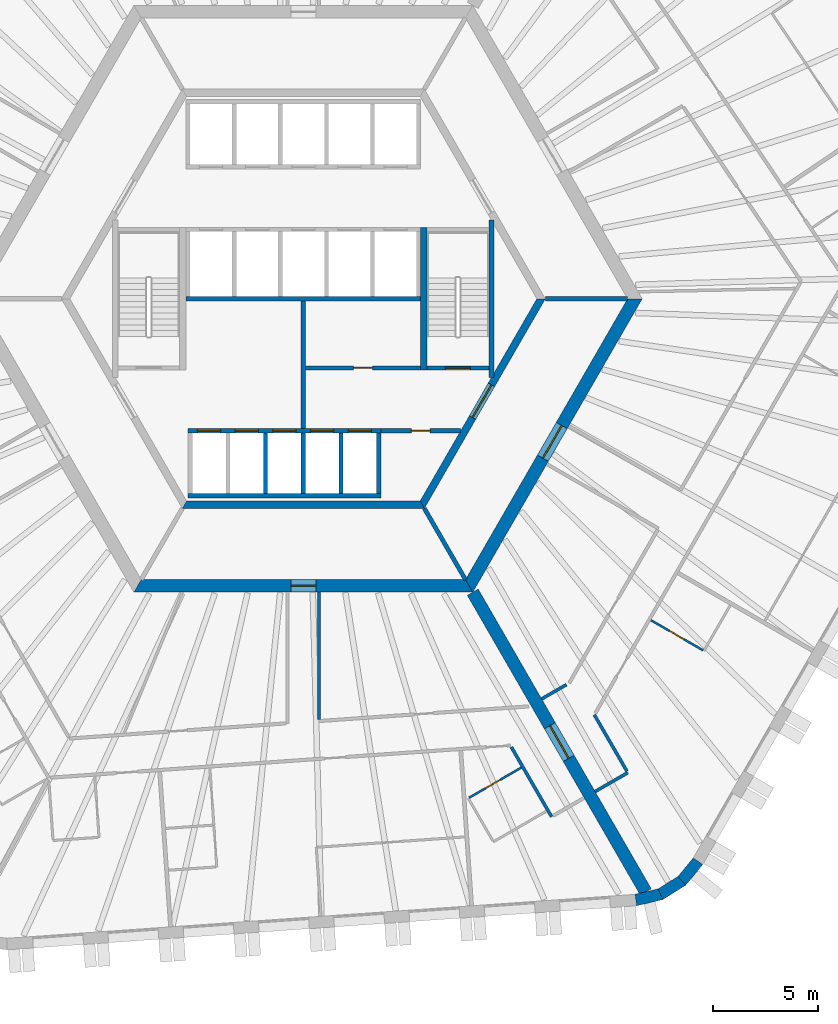
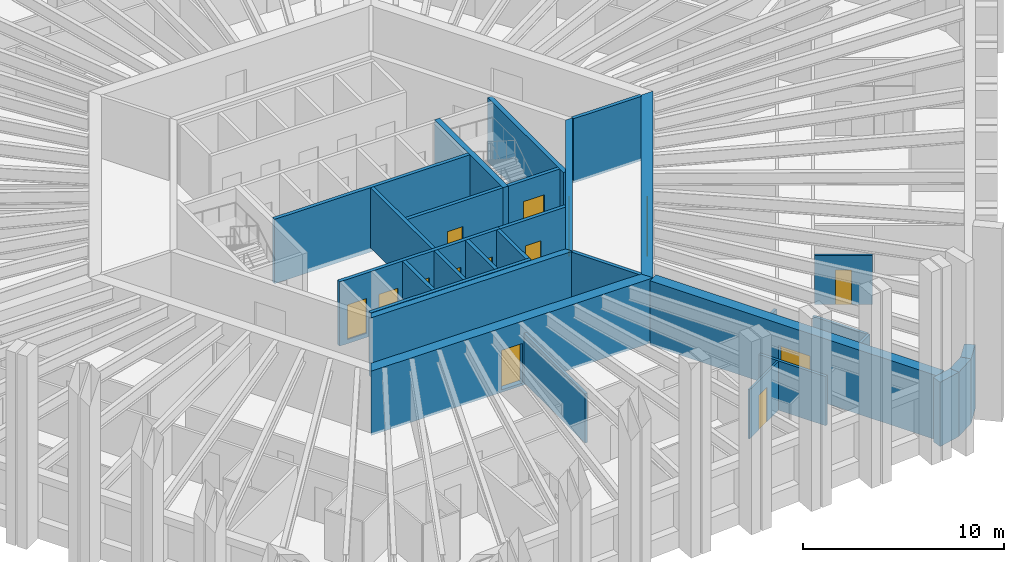
# One storey, part 5 of 13: 30 walls, 14 doors, 14 openings.
"""IFC4 building model written with IfcOpenShell, lengths in metres."""

from ifc_helpers import new_model, si_unit, direction, frame, frame_2d, origin, place, context, subcontext, project, spatial, polyline, rectangle, outline, extrude, material, layer, layer_set, type_object, element, fill, save


model = new_model("IFC4")

# Units and contexts
model_context = context("Model", 3, precision=1e-05, world=origin(), true_north=direction((0.0, 1.0)))
body_context = subcontext(model_context, "Body", "Model", "MODEL_VIEW")
ifc_project = project(units=[si_unit("LENGTHUNIT", "METRE"), si_unit("AREAUNIT", "SQUARE_METRE"), si_unit("VOLUMEUNIT", "CUBIC_METRE"), si_unit("PLANEANGLEUNIT", "RADIAN"), si_unit("MASSUNIT", "GRAM", prefix="KILO")], contexts=[model_context])

# Site, building, storey
site_placement = place(None, origin())
site = spatial("IfcSite", under=ifc_project, at=site_placement, CompositionType="ELEMENT")
building_placement = place(site_placement, origin())
building = spatial("IfcBuilding", under=site, at=building_placement, Name="Tarnside Tower", CompositionType="ELEMENT")
storey_placement = place(building_placement, frame((0.0, 0.0, 123.300048828125)))
storey = spatial("IfcBuildingStorey", under=building, at=storey_placement, Name="L28", CompositionType="ELEMENT", Elevation=123.300048828125)

# Wall, opening, door
ifc_material_1 = material(Name="Gypsum board partition on steel studs", Category="steel")
ifc_layer_1 = layer(ifc_material_1, 0.10009765625)
ifc_layer_set_1 = layer_set([ifc_layer_1], Name="Bathroom wall 100")
wall_type_1 = type_object("IfcWallType", Name="Bathroom wall 100", PredefinedType="PARTITIONING", material=ifc_layer_set_1)
wall_1_placement = place(storey_placement, frame((7.91162109375, -23.803466796875, 0.0), z_axis=(0.0, 0.0, 1.0), x_axis=(0.866039941686, 0.499974818771, 0.0)))
wall_1 = element("IfcWall", 1, at=wall_1_placement, inside=storey, type_object=wall_type_1, Name="Bathroom wall 09142", PredefinedType="PARTITIONING", context=body_context, shape_type="SweptSolid", body=[
    extrude(rectangle(XDim=2.875244140625, YDim=0.10009765625, at=frame_2d((1.4375, 0.0))), origin(), (0.0, 0.0, 1.0), 2.98779296875),
])
opening_1_placement = place(wall_1_placement, frame((0.89990234375, 0.0, 0.0)))
opening_1 = element("IfcOpeningElement", 2, at=opening_1_placement, cuts=wall_1, Name="Opening D-B1", PredefinedType="OPENING", context=body_context, shape_type="SweptSolid", body=[
    extrude(rectangle(XDim=0.800048828125, YDim=2.10009765625, at=frame_2d((0.39990234375, 1.050048828125))), frame((0.0, 0.06005859375, 0.0), z_axis=(0.0, -1.0, 0.0), x_axis=(1.0, 0.0, 0.0)), (0.0, 0.0, 1.0), 0.1201171875),
])
ifc_material_2 = material(Name="Timber door leaf", Category="wood")
door_type_1 = type_object("IfcDoorType", Name="Bathroom door 800", OperationType="NOTDEFINED", PredefinedType="DOOR", material=ifc_material_2)
door_1_placement = place(opening_1_placement, origin())
door_1 = element("IfcDoor", 3, at=door_1_placement, inside=storey, type_object=door_type_1, Name="Bathroom door 09030", OperationType="SINGLE_SWING_RIGHT", OverallHeight=2.10009765625, OverallWidth=0.800048828125, PredefinedType="DOOR", context=body_context, shape_type="SweptSolid", body=[
    extrude(rectangle(XDim=0.800048828125, YDim=2.10009765625, at=frame_2d((0.39990234375, 1.050048828125))), frame((0.0, 0.02490234375, 0.0), z_axis=(0.0, -1.0, 0.0), x_axis=(1.0, 0.0, 0.0)), (0.0, 0.0, 1.0), 0.050048828125),
])
fill(opening_1, door_1)

wall_2_placement = place(storey_placement, frame((19.069580078125, -16.7705078125, 0.0), z_axis=(0.0, 0.0, 1.0), x_axis=(-0.866018712932, 0.500011588718, 0.0)))
wall_2 = element("IfcWall", 4, at=wall_2_placement, inside=storey, type_object=wall_type_1, Name="Bathroom wall 09144", PredefinedType="PARTITIONING", context=body_context, shape_type="SweptSolid", body=[
    extrude(rectangle(XDim=2.875, YDim=0.10009765625, at=frame_2d((1.4375, 0.0))), origin(), (0.0, 0.0, 1.0), 2.98779296875),
])
opening_2_placement = place(wall_2_placement, frame((1.050048828125, 0.0, 0.0)))
opening_2 = element("IfcOpeningElement", 5, at=opening_2_placement, cuts=wall_2, Name="Opening D-B1", PredefinedType="OPENING", context=body_context, shape_type="SweptSolid", body=[
    extrude(rectangle(XDim=0.800048828125, YDim=2.10009765625, at=frame_2d((0.39990234375, 1.050048828125))), frame((0.0, 0.06005859375, 0.0), z_axis=(0.0, -1.0, 0.0), x_axis=(1.0, 0.0, 0.0)), (0.0, 0.0, 1.0), 0.1201171875),
])
door_2_placement = place(opening_2_placement, origin())
door_2 = element("IfcDoor", 6, at=door_2_placement, inside=storey, type_object=door_type_1, Name="Bathroom door 09032", OperationType="SINGLE_SWING_LEFT", OverallHeight=2.10009765625, OverallWidth=0.800048828125, PredefinedType="DOOR", context=body_context, shape_type="SweptSolid", body=[
    extrude(rectangle(XDim=0.800048828125, YDim=2.10009765625, at=frame_2d((0.39990234375, 1.050048828125))), frame((0.0, 0.02490234375, 0.0), z_axis=(0.0, -1.0, 0.0), x_axis=(1.0, 0.0, 0.0)), (0.0, 0.0, 1.0), 0.050048828125),
])
fill(opening_2, door_2)

# Wall
ifc_material_3 = material(Name="Concrete C50/60", Category="concrete")
ifc_layer_2 = layer(ifc_material_3, 0.35009765625)
ifc_layer_set_2 = layer_set([ifc_layer_2], Name="Core block wall 350 C50/60")
wall_type_2 = type_object("IfcWallType", Name="Core block wall 350 C50/60", PredefinedType="SHEAR", material=ifc_layer_set_2)
wall_3_placement = place(storey_placement, frame((-5.672607421875, -9.824951171875, -0.150146484375), z_axis=(0.0, 0.0, 1.0), x_axis=(1.0, 0.0, 0.0)))
element("IfcWall", 7, at=wall_3_placement, inside=storey, type_object=wall_type_2, Name="L28 core block wall face 4", PredefinedType="SHEAR", context=body_context, shape_type="SweptSolid", body=[
    extrude(outline(polyline([(-0.10107421875, -0.175048828125), (11.4462890625, -0.175048828125), (11.244140625, 0.175048828125), (0.10107421875, 0.175048828125), (-0.10107421875, -0.175048828125)])), origin(), (0.0, 0.0, 1.0), 3.900146484375),
])

# Wall, opening, door
wall_4_placement = place(storey_placement, frame((5.672607421875, -9.824951171875, -0.150146484375), z_axis=(0.0, 0.0, 1.0), x_axis=(0.499995046907, 0.866028263435, 0.0)))
wall_4 = element("IfcWall", 8, at=wall_4_placement, inside=storey, type_object=wall_type_2, Name="L28 core block wall face 5", PredefinedType="SHEAR", context=body_context, shape_type="SweptSolid", body=[
    extrude(outline(polyline([(-0.10107421875, -0.175048828125), (11.44580078125, -0.175048828125), (11.24365234375, 0.175048828125), (0.10107421875, 0.175048828125), (-0.10107421875, -0.175048828125)])), origin(), (0.0, 0.0, 1.0), 3.900146484375),
])
opening_3_placement = place(wall_4_placement, frame((4.80126953125, 0.0, 0.14990234375)))
opening_3 = element("IfcOpeningElement", 9, at=opening_3_placement, cuts=wall_4, Name="Opening CD-FFL", PredefinedType="OPENING", context=body_context, shape_type="SweptSolid", body=[
    extrude(rectangle(XDim=1.800048828125, YDim=2.39990234375, at=frame_2d((0.89990234375, 1.199951171875))), frame((0.0, 0.18505859375, 0.0), z_axis=(0.0, -1.0, 0.0), x_axis=(1.0, 0.0, 0.0)), (0.0, 0.0, 1.0), 0.3701171875),
])
ifc_material_4 = material(Name="Steel fire door", Category="steel")
door_type_2 = type_object("IfcDoorType", Name="Firefighting lobby double door FD60S 1800x2400", OperationType="NOTDEFINED", PredefinedType="DOOR", material=ifc_material_4)
door_3_placement = place(opening_3_placement, origin())
door_3 = element("IfcDoor", 10, at=door_3_placement, inside=storey, type_object=door_type_2, Name="L28 lobby block door P4", OperationType="DOUBLE_DOOR_SINGLE_SWING", OverallHeight=2.39990234375, OverallWidth=1.800048828125, PredefinedType="DOOR", context=body_context, shape_type="SweptSolid", body=[
    extrude(rectangle(XDim=1.800048828125, YDim=2.39990234375, at=frame_2d((0.89990234375, 1.199951171875))), frame((0.0, 0.02490234375, 0.0), z_axis=(0.0, -1.0, 0.0), x_axis=(1.0, 0.0, 0.0)), (0.0, 0.0, 1.0), 0.050048828125),
])
fill(opening_3, door_3)

ifc_material_5 = material(Name="Concrete C40/50", Category="concrete")
ifc_layer_3 = layer(ifc_material_5, 0.199951171875)
ifc_layer_set_3 = layer_set([ifc_layer_3], Name="Core room partition 200 C40/50")
wall_type_3 = type_object("IfcWallType", Name="Core room partition 200 C40/50", PredefinedType="PARTITIONING", material=ifc_layer_set_3)
wall_5_placement = place(storey_placement, frame((0.10009765625, -3.300048828125, 0.0), z_axis=(0.0, 0.0, 1.0), x_axis=(1.0, 0.0, 0.0)))
wall_5 = element("IfcWall", 11, at=wall_5_placement, inside=storey, type_object=wall_type_3, Name="L28 core partition R3S1", PredefinedType="PARTITIONING", context=body_context, shape_type="SweptSolid", body=[
    extrude(rectangle(XDim=5.5, YDim=0.199951171875, at=frame_2d((2.75, 0.0))), origin(), (0.0, 0.0, 1.0), 3.64990234375),
])
opening_4_placement = place(wall_5_placement, frame((2.300048828125, 0.0, 0.0)))
opening_4 = element("IfcOpeningElement", 12, at=opening_4_placement, cuts=wall_5, Name="Opening CD-room", PredefinedType="OPENING", context=body_context, shape_type="SweptSolid", body=[
    extrude(rectangle(XDim=0.89990234375, YDim=2.10009765625, at=frame_2d((0.449951171875, 1.050048828125))), frame((0.0, 0.10986328125, 0.0), z_axis=(0.0, -1.0, 0.0), x_axis=(1.0, 0.0, 0.0)), (0.0, 0.0, 1.0), 0.219970703125),
])
door_type_3 = type_object("IfcDoorType", Name="Room door FD60 900x2100", OperationType="NOTDEFINED", PredefinedType="DOOR", material=ifc_material_4)
door_4_placement = place(opening_4_placement, origin())
door_4 = element("IfcDoor", 13, at=door_4_placement, inside=storey, type_object=door_type_3, Name="L28 core room door SR1", OperationType="SINGLE_SWING_LEFT", OverallHeight=2.10009765625, OverallWidth=0.89990234375, PredefinedType="DOOR", context=body_context, shape_type="SweptSolid", body=[
    extrude(rectangle(XDim=0.89990234375, YDim=2.10009765625, at=frame_2d((0.449951171875, 1.050048828125))), frame((0.0, 0.02490234375, 0.0), z_axis=(0.0, -1.0, 0.0), x_axis=(1.0, 0.0, 0.0)), (0.0, 0.0, 1.0), 0.050048828125),
])
fill(opening_4, door_4)

# Wall
wall_6_placement = place(storey_placement, frame((0.0, -6.199951171875, 0.0), z_axis=(0.0, 0.0, 1.0), x_axis=(0.0, 1.0, 0.0)))
element("IfcWall", 14, at=wall_6_placement, inside=storey, type_object=wall_type_3, Name="L28 core partition X0", PredefinedType="PARTITIONING", context=body_context, shape_type="SweptSolid", body=[
    extrude(rectangle(XDim=6.099853515625, YDim=0.199951171875, at=frame_2d((3.0498046875, 0.0))), origin(), (0.0, 0.0, 1.0), 3.64990234375),
])

# Wall, opening, door
wall_7_placement = place(storey_placement, frame((3.699951171875, -6.300048828125, 0.0), z_axis=(0.0, 0.0, 1.0), x_axis=(1.0, 0.0, 0.0)))
wall_7 = element("IfcWall", 15, at=wall_7_placement, inside=storey, type_object=wall_type_3, Name="L28 core partition R4X", PredefinedType="PARTITIONING", context=body_context, shape_type="SweptSolid", body=[
    extrude(rectangle(XDim=3.8056640625, YDim=0.199951171875, at=frame_2d((1.90283203125, 0.0))), origin(), (0.0, 0.0, 1.0), 3.64990234375),
])
opening_5_placement = place(wall_7_placement, frame((1.452880859375, 0.0, 0.0)))
opening_5 = element("IfcOpeningElement", 16, at=opening_5_placement, cuts=wall_7, Name="Opening CD-room", PredefinedType="OPENING", context=body_context, shape_type="SweptSolid", body=[
    extrude(rectangle(XDim=0.89990234375, YDim=2.10009765625, at=frame_2d((0.449951171875, 1.050048828125))), frame((0.0, 0.10986328125, 0.0), z_axis=(0.0, -1.0, 0.0), x_axis=(1.0, 0.0, 0.0)), (0.0, 0.0, 1.0), 0.219970703125),
])
door_5_placement = place(opening_5_placement, origin())
door_5 = element("IfcDoor", 17, at=door_5_placement, inside=storey, type_object=door_type_3, Name="L28 core room door RX", OperationType="SINGLE_SWING_LEFT", OverallHeight=2.10009765625, OverallWidth=0.89990234375, PredefinedType="DOOR", context=body_context, shape_type="SweptSolid", body=[
    extrude(rectangle(XDim=0.89990234375, YDim=2.10009765625, at=frame_2d((0.449951171875, 1.050048828125))), frame((0.0, 0.02490234375, 0.0), z_axis=(0.0, -1.0, 0.0), x_axis=(1.0, 0.0, 0.0)), (0.0, 0.0, 1.0), 0.050048828125),
])
fill(opening_5, door_5)

ifc_material_6 = material(Name="Concrete C80/95", Category="concrete")
ifc_layer_4 = layer(ifc_material_6, 0.60009765625)
ifc_layer_set_4 = layer_set([ifc_layer_4], Name="Core wall Z1 600 C80/95")
wall_type_4 = type_object("IfcWallType", Name="Core wall Z1 600 C80/95", PredefinedType="SHEAR", material=ifc_layer_set_4)
wall_8_placement = place(storey_placement, frame((-7.90966796875, -13.699951171875, -0.150146484375), z_axis=(0.0, 0.0, 1.0), x_axis=(1.0, 0.0, 0.0)))
wall_8 = element("IfcWall", 18, at=wall_8_placement, inside=storey, type_object=wall_type_4, Name="L28 core wall face 4", PredefinedType="SHEAR", context=body_context, shape_type="SweptSolid", body=[
    extrude(outline(polyline([(-0.17333984375, -0.300048828125), (15.99267578125, -0.300048828125), (15.64599609375, 0.300048828125), (0.17333984375, 0.300048828125), (-0.17333984375, -0.300048828125)])), origin(), (0.0, 0.0, 1.0), 3.900146484375),
])
opening_6_placement = place(wall_8_placement, frame((7.309814453125, 0.0, 0.14990234375)))
opening_6 = element("IfcOpeningElement", 19, at=opening_6_placement, cuts=wall_8, Name="Opening CD-RSR", PredefinedType="OPENING", context=body_context, shape_type="SweptSolid", body=[
    extrude(rectangle(XDim=1.199951171875, YDim=2.39990234375, at=frame_2d((0.60009765625, 1.199951171875))), frame((0.0, 0.31005859375, 0.0), z_axis=(0.0, -1.0, 0.0), x_axis=(1.0, 0.0, 0.0)), (0.0, 0.0, 1.0), 0.6201171875),
])
door_type_4 = type_object("IfcDoorType", Name="Riser door FD60 1200x2400", OperationType="NOTDEFINED", PredefinedType="DOOR", material=ifc_material_4)
door_6_placement = place(opening_6_placement, origin())
door_6 = element("IfcDoor", 20, at=door_6_placement, inside=storey, type_object=door_type_4, Name="L28 core door S6", OperationType="SINGLE_SWING_LEFT", OverallHeight=2.39990234375, OverallWidth=1.199951171875, PredefinedType="DOOR", context=body_context, shape_type="SweptSolid", body=[
    extrude(rectangle(XDim=1.199951171875, YDim=2.39990234375, at=frame_2d((0.60009765625, 1.199951171875))), frame((0.0, 0.02490234375, 0.0), z_axis=(0.0, -1.0, 0.0), x_axis=(1.0, 0.0, 0.0)), (0.0, 0.0, 1.0), 0.050048828125),
])
fill(opening_6, door_6)

wall_9_placement = place(storey_placement, frame((7.90966796875, -13.699951171875, -0.150146484375), z_axis=(0.0, 0.0, 1.0), x_axis=(0.499999880136, 0.866025472988, 0.0)))
wall_9 = element("IfcWall", 21, at=wall_9_placement, inside=storey, type_object=wall_type_4, Name="L28 core wall face 5", PredefinedType="SHEAR", context=body_context, shape_type="SweptSolid", body=[
    extrude(outline(polyline([(-0.17333984375, -0.300048828125), (15.99267578125, -0.300048828125), (15.64599609375, 0.300048828125), (0.17333984375, 0.300048828125), (-0.17333984375, -0.300048828125)])), origin(), (0.0, 0.0, 1.0), 3.900146484375),
])
opening_7_placement = place(wall_9_placement, frame((7.03857421875, 0.0, 0.14990234375)))
opening_7 = element("IfcOpeningElement", 22, at=opening_7_placement, cuts=wall_9, Name="Opening CD-FFL", PredefinedType="OPENING", context=body_context, shape_type="SweptSolid", body=[
    extrude(rectangle(XDim=1.800048828125, YDim=2.39990234375, at=frame_2d((0.89990234375, 1.199951171875))), frame((0.0, 0.31005859375, 0.0), z_axis=(0.0, -1.0, 0.0), x_axis=(1.0, 0.0, 0.0)), (0.0, 0.0, 1.0), 0.6201171875),
])
door_7_placement = place(opening_7_placement, origin())
door_7 = element("IfcDoor", 23, at=door_7_placement, inside=storey, type_object=door_type_2, Name="L28 core door P4", OperationType="DOUBLE_DOOR_SINGLE_SWING", OverallHeight=2.39990234375, OverallWidth=1.800048828125, PredefinedType="DOOR", context=body_context, shape_type="SweptSolid", body=[
    extrude(rectangle(XDim=1.800048828125, YDim=2.39990234375, at=frame_2d((0.89990234375, 1.199951171875))), frame((0.0, 0.02490234375, 0.0), z_axis=(0.0, -1.0, 0.0), x_axis=(1.0, 0.0, 0.0)), (0.0, 0.0, 1.0), 0.050048828125),
])
fill(opening_7, door_7)

wall_10_placement = place(storey_placement, frame((8.0830078125, -14.0, -0.150146484375), z_axis=(0.0, 0.0, 1.0), x_axis=(0.499997680643, -0.866026742862, 0.0)))
wall_10 = element("IfcWall", 24, at=wall_10_placement, inside=storey, type_object=wall_type_4, Name="L28 spine wall 3", PredefinedType="SHEAR", context=body_context, shape_type="SweptSolid", body=[
    extrude(rectangle(XDim=16.5087890625, YDim=0.60009765625, at=frame_2d((8.25439453125, 0.0))), origin(), (0.0, 0.0, 1.0), 3.900146484375),
])
opening_8_placement = place(wall_10_placement, frame((7.3544921875, 0.0, 0.14990234375)))
opening_8 = element("IfcOpeningElement", 25, at=opening_8_placement, cuts=wall_10, Name="Opening CD-SPN", PredefinedType="OPENING", context=body_context, shape_type="SweptSolid", body=[
    extrude(rectangle(XDim=1.800048828125, YDim=2.39990234375, at=frame_2d((0.89990234375, 1.199951171875))), frame((0.0, 0.31005859375, 0.0), z_axis=(0.0, -1.0, 0.0), x_axis=(1.0, 0.0, 0.0)), (0.0, 0.0, 1.0), 0.6201171875),
])
door_type_5 = type_object("IfcDoorType", Name="Spine passage double door FD60 1800x2400", OperationType="NOTDEFINED", PredefinedType="DOOR", material=ifc_material_4)
door_8_placement = place(opening_8_placement, origin())
door_8 = element("IfcDoor", 26, at=door_8_placement, inside=storey, type_object=door_type_5, Name="L28 spine passage door 3", OperationType="DOUBLE_DOOR_SINGLE_SWING", OverallHeight=2.39990234375, OverallWidth=1.800048828125, PredefinedType="DOOR", context=body_context, shape_type="SweptSolid", body=[
    extrude(rectangle(XDim=1.800048828125, YDim=2.39990234375, at=frame_2d((0.89990234375, 1.199951171875))), frame((0.0, 0.02490234375, 0.0), z_axis=(0.0, -1.0, 0.0), x_axis=(1.0, 0.0, 0.0)), (0.0, 0.0, 1.0), 0.050048828125),
])
fill(opening_8, door_8)

# Walls
ifc_layer_5 = layer(ifc_material_1, 0.14990234375)
ifc_layer_set_5 = layer_set([ifc_layer_5], Name="Corridor wall 150 EI 60")
wall_type_5 = type_object("IfcWallType", Name="Corridor wall 150 EI 60", PredefinedType="PARTITIONING", material=ifc_layer_set_5)
wall_11_placement = place(storey_placement, frame((9.921875, -21.385009765625, 0.0), z_axis=(0.0, 0.0, 1.0), x_axis=(0.500003180287, -0.866023567637, 0.0)))
element("IfcWall", 27, at=wall_11_placement, inside=storey, type_object=wall_type_5, Name="Corridor wall 09040", PredefinedType="PARTITIONING", context=body_context, shape_type="SweptSolid", body=[
    extrude(rectangle(XDim=3.83935546875, YDim=0.14990234375, at=frame_2d((1.919677734375, 0.0))), origin(), (0.0, 0.0, 1.0), 2.98779296875),
])
wall_12_placement = place(storey_placement, frame((0.75, -20.071533203125, 0.0), z_axis=(0.0, 0.0, 1.0), x_axis=(0.0, 1.0, 0.0)))
element("IfcWall", 28, at=wall_12_placement, inside=storey, type_object=wall_type_5, Name="Corridor wall 09053", PredefinedType="PARTITIONING", context=body_context, shape_type="SweptSolid", body=[
    extrude(rectangle(XDim=6.071533203125, YDim=0.14990234375, at=frame_2d((3.03564453125, 0.0))), origin(), (0.0, 0.0, 1.0), 2.98779296875),
])
wall_13_placement = place(storey_placement, frame((13.919921875, -23.510009765625, 0.0), z_axis=(0.0, 0.0, 1.0), x_axis=(0.866047807691, 0.499961193289, 0.0)))
element("IfcWall", 29, at=wall_13_placement, inside=storey, type_object=wall_type_5, Name="Corridor wall 09054", PredefinedType="PARTITIONING", context=body_context, shape_type="SweptSolid", body=[
    extrude(rectangle(XDim=1.800048828125, YDim=0.14990234375, at=frame_2d((0.89990234375, 0.0))), origin(), (0.0, 0.0, 1.0), 2.98779296875),
])
wall_14_placement = place(storey_placement, frame((15.44140625, -22.545166015625, 0.0), z_axis=(0.0, 0.0, 1.0), x_axis=(-0.500037089193, 0.86600398927, 0.0)))
element("IfcWall", 30, at=wall_14_placement, inside=storey, type_object=wall_type_5, Name="Corridor wall 09055", PredefinedType="PARTITIONING", context=body_context, shape_type="SweptSolid", body=[
    extrude(rectangle(XDim=3.112060546875, YDim=0.14990234375, at=frame_2d((1.55615234375, 0.0))), origin(), (0.0, 0.0, 1.0), 2.98779296875),
])
wall_15_placement = place(storey_placement, frame((12.552001953125, -18.409423828125, 0.0), z_axis=(0.0, 0.0, 1.0), x_axis=(-0.866078408764, -0.499908181442, 0.0)))
element("IfcWall", 31, at=wall_15_placement, inside=storey, type_object=wall_type_5, Name="Corridor wall 09078", PredefinedType="PARTITIONING", context=body_context, shape_type="SweptSolid", body=[
    extrude(rectangle(XDim=1.365478515625, YDim=0.14990234375, at=frame_2d((0.6826171875, 0.0))), origin(), (0.0, 0.0, 1.0), 2.98779296875),
])
ifc_layer_6 = layer(ifc_material_5, 0.199951171875)
ifc_layer_set_6 = layer_set([ifc_layer_6], Name="Lift shaft wall 200 C40/50")
wall_type_6 = type_object("IfcWallType", Name="Lift shaft wall 200 C40/50", PredefinedType="SHEAR", material=ifc_layer_set_6)
wall_16_placement = place(storey_placement, frame((-5.60009765625, 0.0, -0.25), z_axis=(0.0, 0.0, 1.0), x_axis=(1.0, 0.0, 0.0)))
element("IfcWall", 32, at=wall_16_placement, inside=storey, type_object=wall_type_6, Name="L28 lift shaft back wall R2", PredefinedType="SHEAR", context=body_context, shape_type="SweptSolid", body=[
    extrude(rectangle(XDim=11.2001953125, YDim=0.199951171875, at=frame_2d((5.60009765625, 0.0))), origin(), (0.0, 0.0, 1.0), 3.89990234375),
])

# Wall, openings, doors
wall_17_placement = place(storey_placement, frame((-5.5, -6.300048828125, -0.25), z_axis=(0.0, 0.0, 1.0), x_axis=(1.0, 0.0, 0.0)))
wall_17 = element("IfcWall", 33, at=wall_17_placement, inside=storey, type_object=wall_type_6, Name="L28 lift shaft front wall R4", PredefinedType="SHEAR", context=body_context, shape_type="SweptSolid", body=[
    extrude(rectangle(XDim=9.199951171875, YDim=0.199951171875, at=frame_2d((4.60009765625, 0.0))), origin(), (0.0, 0.0, 1.0), 3.89990234375),
])
opening_9_placement = place(wall_17_placement, frame((0.449951171875, 0.0, 0.25)))
opening_9 = element("IfcOpeningElement", 34, at=opening_9_placement, cuts=wall_17, Name="Opening LDF", PredefinedType="OPENING", context=body_context, shape_type="SweptSolid", body=[
    extrude(rectangle(XDim=1.10009765625, YDim=2.10009765625, at=frame_2d((0.550048828125, 1.050048828125))), frame((0.0, 0.10986328125, 0.0), z_axis=(0.0, -1.0, 0.0), x_axis=(1.0, 0.0, 0.0)), (0.0, 0.0, 1.0), 0.219970703125),
])
opening_10_placement = place(wall_17_placement, frame((2.25, 0.0, 0.25)))
opening_10 = element("IfcOpeningElement", 35, at=opening_10_placement, cuts=wall_17, Name="Opening LDF", PredefinedType="OPENING", context=body_context, shape_type="SweptSolid", body=[
    extrude(rectangle(XDim=1.10009765625, YDim=2.10009765625, at=frame_2d((0.550048828125, 1.050048828125))), frame((0.0, 0.10986328125, 0.0), z_axis=(0.0, -1.0, 0.0), x_axis=(1.0, 0.0, 0.0)), (0.0, 0.0, 1.0), 0.219970703125),
])
opening_11_placement = place(wall_17_placement, frame((4.050048828125, 0.0, 0.25)))
opening_11 = element("IfcOpeningElement", 36, at=opening_11_placement, cuts=wall_17, Name="Opening LDF", PredefinedType="OPENING", context=body_context, shape_type="SweptSolid", body=[
    extrude(rectangle(XDim=1.10009765625, YDim=2.10009765625, at=frame_2d((0.550048828125, 1.050048828125))), frame((0.0, 0.10986328125, 0.0), z_axis=(0.0, -1.0, 0.0), x_axis=(1.0, 0.0, 0.0)), (0.0, 0.0, 1.0), 0.219970703125),
])
opening_12_placement = place(wall_17_placement, frame((5.85009765625, 0.0, 0.25)))
opening_12 = element("IfcOpeningElement", 37, at=opening_12_placement, cuts=wall_17, Name="Opening LDF", PredefinedType="OPENING", context=body_context, shape_type="SweptSolid", body=[
    extrude(rectangle(XDim=1.10009765625, YDim=2.10009765625, at=frame_2d((0.550048828125, 1.050048828125))), frame((0.0, 0.10986328125, 0.0), z_axis=(0.0, -1.0, 0.0), x_axis=(1.0, 0.0, 0.0)), (0.0, 0.0, 1.0), 0.219970703125),
])
opening_13_placement = place(wall_17_placement, frame((7.64990234375, 0.0, 0.25)))
opening_13 = element("IfcOpeningElement", 38, at=opening_13_placement, cuts=wall_17, Name="Opening LDF", PredefinedType="OPENING", context=body_context, shape_type="SweptSolid", body=[
    extrude(rectangle(XDim=1.10009765625, YDim=2.10009765625, at=frame_2d((0.550048828125, 1.050048828125))), frame((0.0, 0.10986328125, 0.0), z_axis=(0.0, -1.0, 0.0), x_axis=(1.0, 0.0, 0.0)), (0.0, 0.0, 1.0), 0.219970703125),
])
ifc_material_7 = material(Name="Stainless steel", Category="steel")
door_type_6 = type_object("IfcDoorType", Name="Lift landing door 1100x2100 EI 120", OperationType="NOTDEFINED", PredefinedType="DOOR", material=ifc_material_7)
door_9_placement = place(opening_9_placement, origin())
door_9 = element("IfcDoor", 39, at=door_9_placement, inside=storey, type_object=door_type_6, Name="Firefighting lift 1 landing door L28", OperationType="SLIDING_TO_LEFT", OverallHeight=2.10009765625, OverallWidth=1.10009765625, PredefinedType="DOOR", context=body_context, shape_type="SweptSolid", body=[
    extrude(rectangle(XDim=1.10009765625, YDim=2.10009765625, at=frame_2d((0.550048828125, 1.050048828125))), frame((0.0, 0.02490234375, 0.0), z_axis=(0.0, -1.0, 0.0), x_axis=(1.0, 0.0, 0.0)), (0.0, 0.0, 1.0), 0.050048828125),
])
fill(opening_9, door_9)
door_10_placement = place(opening_10_placement, origin())
door_10 = element("IfcDoor", 40, at=door_10_placement, inside=storey, type_object=door_type_6, Name="Firefighting lift 2 landing door L28", OperationType="SLIDING_TO_LEFT", OverallHeight=2.10009765625, OverallWidth=1.10009765625, PredefinedType="DOOR", context=body_context, shape_type="SweptSolid", body=[
    extrude(rectangle(XDim=1.10009765625, YDim=2.10009765625, at=frame_2d((0.550048828125, 1.050048828125))), frame((0.0, 0.02490234375, 0.0), z_axis=(0.0, -1.0, 0.0), x_axis=(1.0, 0.0, 0.0)), (0.0, 0.0, 1.0), 0.050048828125),
])
fill(opening_10, door_10)
door_11_placement = place(opening_11_placement, origin())
door_11 = element("IfcDoor", 41, at=door_11_placement, inside=storey, type_object=door_type_6, Name="Firefighting lift 3 landing door L28", OperationType="SLIDING_TO_LEFT", OverallHeight=2.10009765625, OverallWidth=1.10009765625, PredefinedType="DOOR", context=body_context, shape_type="SweptSolid", body=[
    extrude(rectangle(XDim=1.10009765625, YDim=2.10009765625, at=frame_2d((0.550048828125, 1.050048828125))), frame((0.0, 0.02490234375, 0.0), z_axis=(0.0, -1.0, 0.0), x_axis=(1.0, 0.0, 0.0)), (0.0, 0.0, 1.0), 0.050048828125),
])
fill(opening_11, door_11)
door_12_placement = place(opening_12_placement, origin())
door_12 = element("IfcDoor", 42, at=door_12_placement, inside=storey, type_object=door_type_6, Name="Firefighting lift 4 landing door L28", OperationType="SLIDING_TO_LEFT", OverallHeight=2.10009765625, OverallWidth=1.10009765625, PredefinedType="DOOR", context=body_context, shape_type="SweptSolid", body=[
    extrude(rectangle(XDim=1.10009765625, YDim=2.10009765625, at=frame_2d((0.550048828125, 1.050048828125))), frame((0.0, 0.02490234375, 0.0), z_axis=(0.0, -1.0, 0.0), x_axis=(1.0, 0.0, 0.0)), (0.0, 0.0, 1.0), 0.050048828125),
])
fill(opening_12, door_12)
door_13_placement = place(opening_13_placement, origin())
door_13 = element("IfcDoor", 43, at=door_13_placement, inside=storey, type_object=door_type_6, Name="Firefighting lift 5 landing door L28", OperationType="SLIDING_TO_LEFT", OverallHeight=2.10009765625, OverallWidth=1.10009765625, PredefinedType="DOOR", context=body_context, shape_type="SweptSolid", body=[
    extrude(rectangle(XDim=1.10009765625, YDim=2.10009765625, at=frame_2d((0.550048828125, 1.050048828125))), frame((0.0, 0.02490234375, 0.0), z_axis=(0.0, -1.0, 0.0), x_axis=(1.0, 0.0, 0.0)), (0.0, 0.0, 1.0), 0.050048828125),
])
fill(opening_13, door_13)

# Walls
wall_18_placement = place(storey_placement, frame((-5.5, -9.39990234375, -0.25), z_axis=(0.0, 0.0, 1.0), x_axis=(1.0, 0.0, 0.0)))
element("IfcWall", 44, at=wall_18_placement, inside=storey, type_object=wall_type_6, Name="L28 lift shaft back wall R4", PredefinedType="SHEAR", context=body_context, shape_type="SweptSolid", body=[
    extrude(rectangle(XDim=9.199951171875, YDim=0.199951171875, at=frame_2d((4.60009765625, 0.0))), origin(), (0.0, 0.0, 1.0), 3.89990234375),
])
for number, where, z_axis, x_axis, name in (
    (45, (-1.800048828125, -9.300048828125, -0.25), (0.0, 0.0, 1.0), (0.0, 1.0, 0.0), "L28 lift shaft partition R43"),
    (46, (0.0, -9.300048828125, -0.25), (0.0, 0.0, 1.0), (0.0, 1.0, 0.0), "L28 lift shaft partition R44"),
    (47, (1.800048828125, -9.300048828125, -0.25), (0.0, 0.0, 1.0), (0.0, 1.0, 0.0), "L28 lift shaft partition R45"),
    (48, (3.60009765625, -9.300048828125, -0.25), (0.0, 0.0, 1.0), (0.0, 1.0, 0.0), "L28 lift shaft partition R46"),
):
    element("IfcWall", number, at=place(storey_placement, frame(where, z_axis=z_axis, x_axis=x_axis)), inside=storey, type_object=wall_type_6, Name=name, PredefinedType="SHEAR", context=body_context, shape_type="SweptSolid", body=[
        extrude(rectangle(XDim=2.900146484375, YDim=0.199951171875, at=frame_2d((1.4501953125, 0.0))), origin(), (0.0, 0.0, 1.0), 3.89990234375),
    ])
wall_19_placement = place(storey_placement, frame((11.547119140625, 0.0, -0.150146484375), z_axis=(0.0, 0.0, 1.0), x_axis=(1.0, 0.0, 0.0)))
element("IfcWall", 49, at=wall_19_placement, inside=storey, type_object=wall_type_6, Name="L28 core partition AR0", PredefinedType="SHEAR", context=body_context, shape_type="SweptSolid", body=[
    extrude(rectangle(XDim=3.92578125, YDim=0.199951171875, at=frame_2d((1.962890625, 0.0))), origin(), (0.0, 0.0, 1.0), 3.900146484375),
])
wall_20_placement = place(storey_placement, frame((5.7734375, -10.0, -0.150146484375), z_axis=(0.0, 0.0, 1.0), x_axis=(0.500038251005, -0.86600331843, 0.0)))
element("IfcWall", 50, at=wall_20_placement, inside=storey, type_object=wall_type_6, Name="L28 core partition AR300", PredefinedType="SHEAR", context=body_context, shape_type="SweptSolid", body=[
    extrude(rectangle(XDim=3.926025390625, YDim=0.199951171875, at=frame_2d((1.962890625, 0.0))), origin(), (0.0, 0.0, 1.0), 3.900146484375),
])

# Wall, opening, door
wall_21_placement = place(storey_placement, frame((5.89990234375, -3.300048828125, -0.25), z_axis=(0.0, 0.0, 1.0), x_axis=(1.0, 0.0, 0.0)))
wall_21 = element("IfcWall", 51, at=wall_21_placement, inside=storey, type_object=wall_type_6, Name="L28 stair 1 enclosure cap wall s", PredefinedType="SHEAR", context=body_context, shape_type="SweptSolid", body=[
    extrude(rectangle(XDim=2.9501953125, YDim=0.199951171875, at=frame_2d((1.47509765625, 0.0))), origin(), (0.0, 0.0, 1.0), 3.89990234375),
])
opening_14_placement = place(wall_21_placement, frame((0.875, 0.0, 0.25)))
opening_14 = element("IfcOpeningElement", 52, at=opening_14_placement, cuts=wall_21, Name="Opening CD-STR", PredefinedType="OPENING", context=body_context, shape_type="SweptSolid", body=[
    extrude(rectangle(XDim=1.199951171875, YDim=2.39990234375, at=frame_2d((0.60009765625, 1.199951171875))), frame((0.0, 0.10986328125, 0.0), z_axis=(0.0, -1.0, 0.0), x_axis=(1.0, 0.0, 0.0)), (0.0, 0.0, 1.0), 0.219970703125),
])
door_type_7 = type_object("IfcDoorType", Name="Stair door FD60S 1200x2400", OperationType="NOTDEFINED", PredefinedType="DOOR", material=ifc_material_4)
door_14_placement = place(opening_14_placement, origin())
door_14 = element("IfcDoor", 53, at=door_14_placement, inside=storey, type_object=door_type_7, Name="L28 stair 1 door", OperationType="SINGLE_SWING_LEFT", OverallHeight=2.39990234375, OverallWidth=1.199951171875, PredefinedType="DOOR", context=body_context, shape_type="SweptSolid", body=[
    extrude(rectangle(XDim=1.199951171875, YDim=2.39990234375, at=frame_2d((0.60009765625, 1.199951171875))), frame((0.0, 0.02490234375, 0.0), z_axis=(0.0, -1.0, 0.0), x_axis=(1.0, 0.0, 0.0)), (0.0, 0.0, 1.0), 0.050048828125),
])
fill(opening_14, door_14)

# Walls
ifc_layer_7 = layer(ifc_material_5, 0.25)
ifc_layer_set_7 = layer_set([ifc_layer_7], Name="Stair enclosure wall 250 C40/50")
wall_type_7 = type_object("IfcWallType", Name="Stair enclosure wall 250 C40/50", PredefinedType="SHEAR", material=ifc_layer_set_7)
wall_22_placement = place(storey_placement, frame((8.97509765625, -3.7548828125, -0.25), z_axis=(0.0, 0.0, 1.0), x_axis=(0.0, 1.0, 0.0)))
element("IfcWall", 54, at=wall_22_placement, inside=storey, type_object=wall_type_7, Name="L28 stair 1 enclosure wall outer", PredefinedType="SHEAR", context=body_context, shape_type="SweptSolid", body=[
    extrude(rectangle(XDim=7.509765625, YDim=0.25, at=frame_2d((3.7548828125, 0.0))), origin(), (0.0, 0.0, 1.0), 3.89990234375),
])
ifc_layer_8 = layer(ifc_material_5, 0.300048828125)
ifc_layer_set_8 = layer_set([ifc_layer_8], Name="Stair enclosure wall 300 C40/50")
wall_type_8 = type_object("IfcWallType", Name="Stair enclosure wall 300 C40/50", PredefinedType="SHEAR", material=ifc_layer_set_8)
wall_23_placement = place(storey_placement, frame((5.75, -3.39990234375, -0.25), z_axis=(0.0, 0.0, 1.0), x_axis=(0.0, 1.0, 0.0)))
element("IfcWall", 55, at=wall_23_placement, inside=storey, type_object=wall_type_8, Name="L28 stair 1 enclosure wall inner", PredefinedType="SHEAR", context=body_context, shape_type="SweptSolid", body=[
    extrude(rectangle(XDim=6.7998046875, YDim=0.300048828125, at=frame_2d((3.39990234375, 0.0))), origin(), (0.0, 0.0, 1.0), 3.89990234375),
])
ifc_material_8 = material(Name="Facing brick", Category="masonry")
ifc_layer_9 = layer(ifc_material_8, 0.10205078125)
ifc_material_9 = material(Name="Concrete C60/75 precast", Category="concrete")
ifc_layer_10 = layer(ifc_material_9, 0.347900390625)
ifc_material_10 = material(Name="Mineral wool insulation")
ifc_layer_11 = layer(ifc_material_10, 0.10009765625)
ifc_layer_set_9 = layer_set([ifc_layer_9, ifc_layer_10, ifc_layer_11], Name="Tube wall 550 brick faced")
wall_type_9 = type_object("IfcWallType", Name="Tube wall 550 brick faced", PredefinedType="SOLIDWALL", material=ifc_layer_set_9)
wall_24_placement = place(storey_placement, frame((15.8642578125, -28.688232421875, -0.150146484375), z_axis=(0.0, 0.0, 1.0), x_axis=(0.973063591128, 0.230536868247, 0.0)))
element("IfcWall", 56, at=wall_24_placement, inside=storey, type_object=wall_type_9, Name="Tube wall L28 F4 chord 13", PredefinedType="SOLIDWALL", context=body_context, shape_type="SweptSolid", body=[
    extrude(outline(polyline([(-0.0224609375, -0.27490234375), (1.25341796875, -0.27490234375), (1.1630859375, 0.27490234375), (0.0224609375, 0.27490234375), (-0.0224609375, -0.27490234375)])), origin(), (0.0, 0.0, 1.0), 3.900146484375),
])
wall_25_placement = place(storey_placement, frame((17.0400390625, -28.40966796875, -0.150146484375), z_axis=(0.0, 0.0, 1.0), x_axis=(0.847952888306, 0.530071598195, 0.0)))
element("IfcWall", 57, at=wall_25_placement, inside=storey, type_object=wall_type_9, Name="Tube wall L28 F4 chord 14", PredefinedType="SOLIDWALL", context=body_context, shape_type="SweptSolid", body=[
    extrude(outline(polyline([(-0.045166015625, -0.27490234375), (1.253173828125, -0.27490234375), (1.162841796875, 0.27490234375), (0.045166015625, 0.27490234375), (-0.045166015625, -0.27490234375)])), origin(), (0.0, 0.0, 1.0), 3.900146484375),
])
wall_26_placement = place(storey_placement, frame((18.064453125, -27.769287109375, -0.150146484375), z_axis=(0.0, 0.0, 1.0), x_axis=(0.633842757806, 0.773461930787, 0.0)))
element("IfcWall", 58, at=wall_26_placement, inside=storey, type_object=wall_type_9, Name="Tube wall L28 F4 chord 15", PredefinedType="SOLIDWALL", context=body_context, shape_type="SweptSolid", body=[
    extrude(outline(polyline([(-0.045166015625, -0.27490234375), (1.230712890625, -0.27490234375), (1.185791015625, 0.27490234375), (0.045166015625, 0.27490234375), (-0.045166015625, -0.27490234375)])), origin(), (0.0, 0.0, 1.0), 3.900146484375),
])

save(model, "model.ifc")
